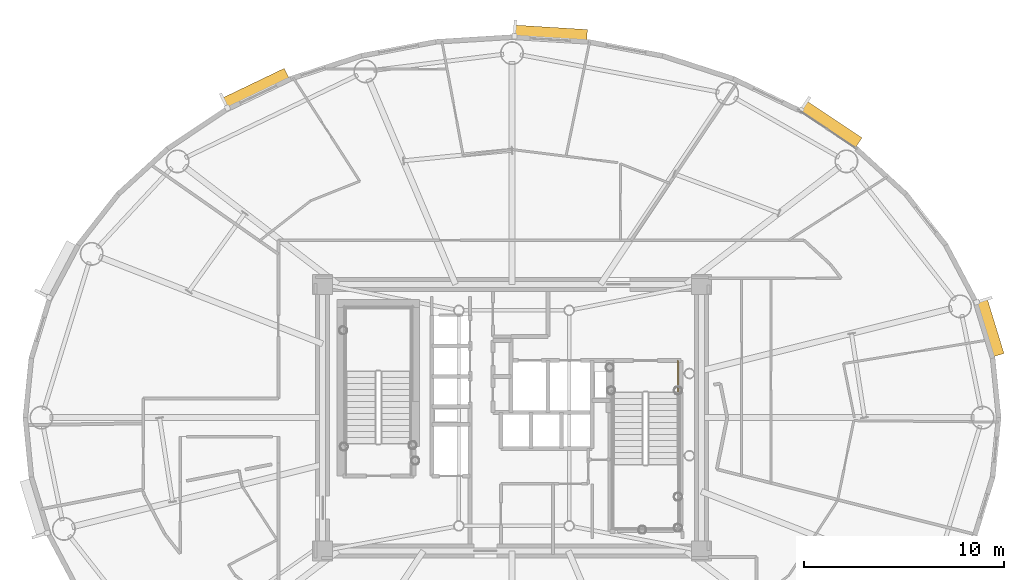
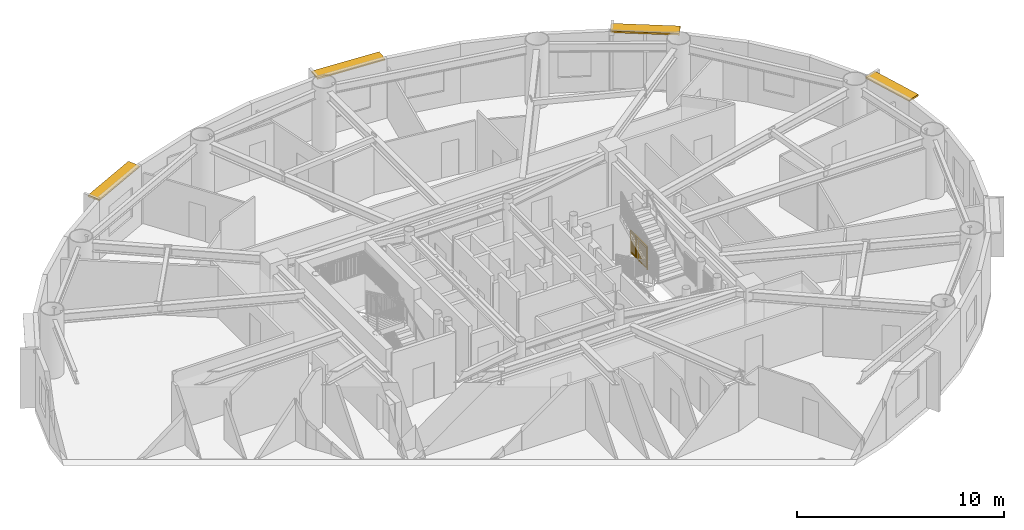
# One storey, part 21 of 21: 4 shading devices, 1 railing.
"""IFC4 building model written with IfcOpenShell, lengths in metres."""

from ifc_helpers import new_model, si_unit, direction, frame, origin, origin_2d, place, context, subcontext, project, spatial, rectangle, extrude, source, transform, mapped, material, layer, layer_set, type_object, element, save


model = new_model("IFC4")

# Units and contexts
model_context = context("Model", 3, precision=1e-05, world=origin(), true_north=direction((0.0, 1.0)))
body_context = subcontext(model_context, "Body", "Model", "MODEL_VIEW")
ifc_project = project(units=[si_unit("LENGTHUNIT", "METRE"), si_unit("AREAUNIT", "SQUARE_METRE"), si_unit("VOLUMEUNIT", "CUBIC_METRE"), si_unit("PLANEANGLEUNIT", "RADIAN"), si_unit("MASSUNIT", "GRAM", prefix="KILO")], contexts=[model_context])

# Site, building, storey
site_placement = place(None, origin())
site = spatial("IfcSite", under=ifc_project, at=site_placement, CompositionType="ELEMENT")
building_placement = place(site_placement, origin())
building = spatial("IfcBuilding", under=site, at=building_placement, Name="Linh Dai School and Residence Tower", CompositionType="ELEMENT")
storey_placement = place(building_placement, frame((0.0, 0.0, 251.550048828125)))
storey = spatial("IfcBuildingStorey", under=building, at=storey_placement, Name="L62", CompositionType="ELEMENT", Elevation=251.550048828125)

# Shading devices
ifc_material_1 = material(Name="Terracotta Ceramic Sunshade", Category="masonry")
ifc_layer = layer(ifc_material_1, 0.10009765625)
ifc_layer_set = layer_set([ifc_layer], Name="Terracotta Ceramic Sunshade")
shading_device_type = type_object("IfcShadingDeviceType", Name="SHD-TC-650", PredefinedType="USERDEFINED", material=ifc_layer_set)
shared_shape_1 = source(origin(), body_context, "Body", "SweptSolid", [
    extrude(rectangle(XDim=2.90380859375, YDim=0.64990234375, at=origin_2d()), origin(), (0.0, 0.0, 1.0), 0.10009765625),
])
shading_device_1_placement = place(storey_placement, frame((59.80615234375, 31.493408203125, 3.3798828125), z_axis=(0.0, 0.0, 1.0), x_axis=(0.2931574026, -0.956064190994, 0.0)))
element("IfcShadingDevice", 1, at=shading_device_1_placement, inside=storey, type_object=shading_device_type, Name="L62 Terracotta Horizontal Sunshade Band 02", ObjectType="SUNSHADE", PredefinedType="USERDEFINED", context=body_context, shape_type="MappedRepresentation", body=[
    mapped(shared_shape_1, transform((0.0, 0.0, 0.0), x_axis=(1.0, 0.0, 0.0), y_axis=(0.0, 1.0, 0.0), z_axis=(0.0, 0.0, 1.0), scale=1.0)),
])
shared_shape_2 = source(origin(), body_context, "Body", "SweptSolid", [
    extrude(rectangle(XDim=3.3447265625, YDim=0.64990234375, at=origin_2d()), origin(), (0.0, 0.0, 1.0), 0.10009765625),
])
shading_device_2_placement = place(storey_placement, frame((51.88671875, 41.6162109375, 3.3798828125), z_axis=(0.0, 0.0, 1.0), x_axis=(0.831257719597, -0.555887222025, 0.0)))
element("IfcShadingDevice", 2, at=shading_device_2_placement, inside=storey, type_object=shading_device_type, Name="L62 Terracotta Horizontal Sunshade Band 06", ObjectType="SUNSHADE", PredefinedType="USERDEFINED", context=body_context, shape_type="MappedRepresentation", body=[
    mapped(shared_shape_2, transform((0.0, 0.0, 0.0), x_axis=(1.0, 0.0, 0.0), y_axis=(0.0, 1.0, 0.0), z_axis=(0.0, 0.0, 1.0), scale=1.0)),
])
shared_shape_3 = source(origin(), body_context, "Body", "SweptSolid", [
    extrude(rectangle(XDim=3.656494140625, YDim=0.64990234375, at=origin_2d()), origin(), (0.0, 0.0, 1.0), 0.10009765625),
])
shading_device_3_placement = place(storey_placement, frame((37.91845703125, 46.147216796875, 3.3798828125), z_axis=(0.0, 0.0, 1.0), x_axis=(0.998106809974, -0.061504437922, 0.0)))
element("IfcShadingDevice", 3, at=shading_device_3_placement, inside=storey, type_object=shading_device_type, Name="L62 Terracotta Horizontal Sunshade Band 10", ObjectType="SUNSHADE", PredefinedType="USERDEFINED", context=body_context, shape_type="MappedRepresentation", body=[
    mapped(shared_shape_3, transform((0.0, 0.0, 0.0), x_axis=(1.0, 0.0, 0.0), y_axis=(0.0, 1.0, 0.0), z_axis=(0.0, 0.0, 1.0), scale=1.0)),
])
shared_shape_4 = source(origin(), body_context, "Body", "SweptSolid", [
    extrude(rectangle(XDim=3.459716796875, YDim=0.64990234375, at=origin_2d()), origin(), (0.0, 0.0, 1.0), 0.10009765625),
])
shading_device_4_placement = place(storey_placement, frame((23.22119140625, 43.384033203125, 3.3798828125), z_axis=(0.0, 0.0, 1.0), x_axis=(0.901588864931, 0.432593941973, 0.0)))
element("IfcShadingDevice", 4, at=shading_device_4_placement, inside=storey, type_object=shading_device_type, Name="L62 Terracotta Horizontal Sunshade Band 14", ObjectType="SUNSHADE", PredefinedType="USERDEFINED", context=body_context, shape_type="MappedRepresentation", body=[
    mapped(shared_shape_4, transform((0.0, 0.0, 0.0), x_axis=(1.0, 0.0, 0.0), y_axis=(0.0, 1.0, 0.0), z_axis=(0.0, 0.0, 1.0), scale=1.0)),
])

# Railing
ifc_material_2 = material(Name="Structural Steel S355JR", Category="steel")
railing_type = type_object("IfcRailingType", Name="RL-ST-GUARD-1400", PredefinedType="GUARDRAIL", material=ifc_material_2)
shared_shape_5 = source(origin(), body_context, "Body", "SweptSolid", [
    extrude(rectangle(XDim=0.048095703125, YDim=0.048095703125, at=origin_2d()), frame((0.0, 0.0, 1.3759765625), z_axis=(0.0, -1.0, 0.0), x_axis=(1.0, 0.0, 0.0)), (0.0, 0.0, 1.0), 1.60009765625),
    extrude(rectangle(XDim=0.048095703125, YDim=0.048095703125, at=origin_2d()), frame((0.0, 0.0, 0.10009765625), z_axis=(0.0, -1.0, 0.0), x_axis=(1.0, 0.0, 0.0)), (0.0, 0.0, 1.0), 1.60009765625),
    extrude(rectangle(XDim=0.030029296875, YDim=0.030029296875, at=origin_2d()), frame((0.0, 0.0, 1.239990234375), z_axis=(0.0, -1.0, 0.0), x_axis=(1.0, 0.0, 0.0)), (0.0, 0.0, 1.0), 1.60009765625),
    extrude(rectangle(XDim=0.02001953125, YDim=0.02001953125, at=origin_2d()), frame((0.0, -0.09423828125, 0.10009765625)), (0.0, 0.0, 1.0), 1.251708984375),
    extrude(rectangle(XDim=0.02001953125, YDim=0.02001953125, at=origin_2d()), frame((0.0, -0.188232421875, 0.10009765625)), (0.0, 0.0, 1.0), 1.251708984375),
    extrude(rectangle(XDim=0.02001953125, YDim=0.02001953125, at=origin_2d()), frame((0.0, -0.282470703125, 0.10009765625)), (0.0, 0.0, 1.0), 1.251708984375),
    extrude(rectangle(XDim=0.02001953125, YDim=0.02001953125, at=origin_2d()), frame((0.0, -0.37646484375, 0.10009765625)), (0.0, 0.0, 1.0), 1.251708984375),
    extrude(rectangle(XDim=0.02001953125, YDim=0.02001953125, at=origin_2d()), frame((0.0, -0.470703125, 0.10009765625)), (0.0, 0.0, 1.0), 1.251708984375),
    extrude(rectangle(XDim=0.02001953125, YDim=0.02001953125, at=origin_2d()), frame((0.0, -0.564697265625, 0.10009765625)), (0.0, 0.0, 1.0), 1.251708984375),
    extrude(rectangle(XDim=0.02001953125, YDim=0.02001953125, at=origin_2d()), frame((0.0, -0.658935546875, 0.10009765625)), (0.0, 0.0, 1.0), 1.251708984375),
    extrude(rectangle(XDim=0.02001953125, YDim=0.02001953125, at=origin_2d()), frame((0.0, -0.7529296875, 0.10009765625)), (0.0, 0.0, 1.0), 1.251708984375),
    extrude(rectangle(XDim=0.02001953125, YDim=0.02001953125, at=origin_2d()), frame((0.0, -0.84716796875, 0.10009765625)), (0.0, 0.0, 1.0), 1.251708984375),
    extrude(rectangle(XDim=0.02001953125, YDim=0.02001953125, at=origin_2d()), frame((0.0, -0.941162109375, 0.10009765625)), (0.0, 0.0, 1.0), 1.251708984375),
    extrude(rectangle(XDim=0.02001953125, YDim=0.02001953125, at=origin_2d()), frame((0.0, -1.035400390625, 0.10009765625)), (0.0, 0.0, 1.0), 1.251708984375),
    extrude(rectangle(XDim=0.02001953125, YDim=0.02001953125, at=origin_2d()), frame((0.0, -1.12939453125, 0.10009765625)), (0.0, 0.0, 1.0), 1.251708984375),
    extrude(rectangle(XDim=0.02001953125, YDim=0.02001953125, at=origin_2d()), frame((0.0, -1.2236328125, 0.10009765625)), (0.0, 0.0, 1.0), 1.251708984375),
    extrude(rectangle(XDim=0.02001953125, YDim=0.02001953125, at=origin_2d()), frame((0.0, -1.317626953125, 0.10009765625)), (0.0, 0.0, 1.0), 1.251708984375),
    extrude(rectangle(XDim=0.02001953125, YDim=0.02001953125, at=origin_2d()), frame((0.0, -1.411865234375, 0.10009765625)), (0.0, 0.0, 1.0), 1.251708984375),
    extrude(rectangle(XDim=0.02001953125, YDim=0.02001953125, at=origin_2d()), frame((0.0, -1.505859375, 0.10009765625)), (0.0, 0.0, 1.0), 1.251708984375),
    extrude(rectangle(XDim=0.0419921875, YDim=0.0419921875, at=origin_2d()), origin(), (0.0, 0.0, 1.0), 1.3759765625),
    extrude(rectangle(XDim=0.0419921875, YDim=0.0419921875, at=origin_2d()), frame((0.0, -0.800048828125, 0.0)), (0.0, 0.0, 1.0), 1.3759765625),
    extrude(rectangle(XDim=0.0419921875, YDim=0.0419921875, at=origin_2d()), frame((0.0, -1.60009765625, 0.0)), (0.0, 0.0, 1.0), 1.3759765625),
])
railing_placement = place(storey_placement, frame((44.27001953125, 29.85009765625, 0.0)))
element("IfcRailing", 5, at=railing_placement, inside=storey, type_object=railing_type, Name="L62 ST2 stair guard 9", PredefinedType="GUARDRAIL", context=body_context, shape_type="MappedRepresentation", body=[
    mapped(shared_shape_5, transform((0.0, 0.0, 0.0), x_axis=(1.0, 0.0, 0.0), y_axis=(0.0, 1.0, 0.0), z_axis=(0.0, 0.0, 1.0), scale=1.0)),
])

save(model, "model.ifc")
